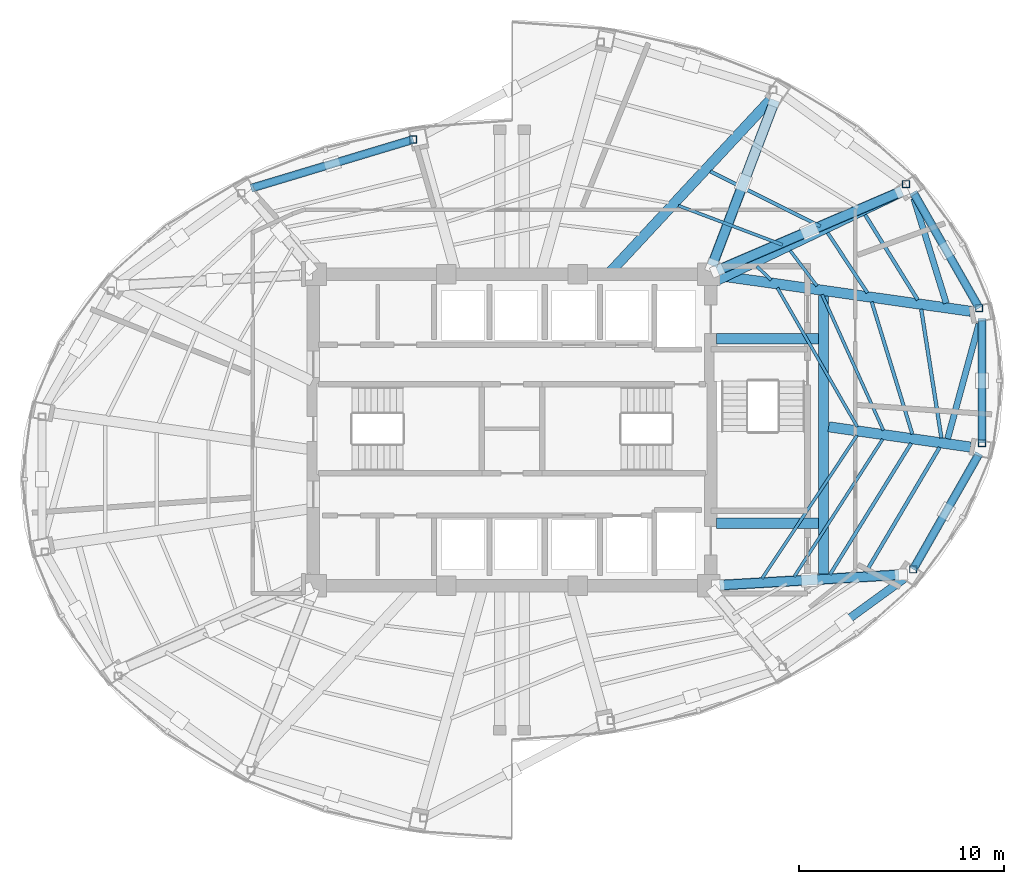
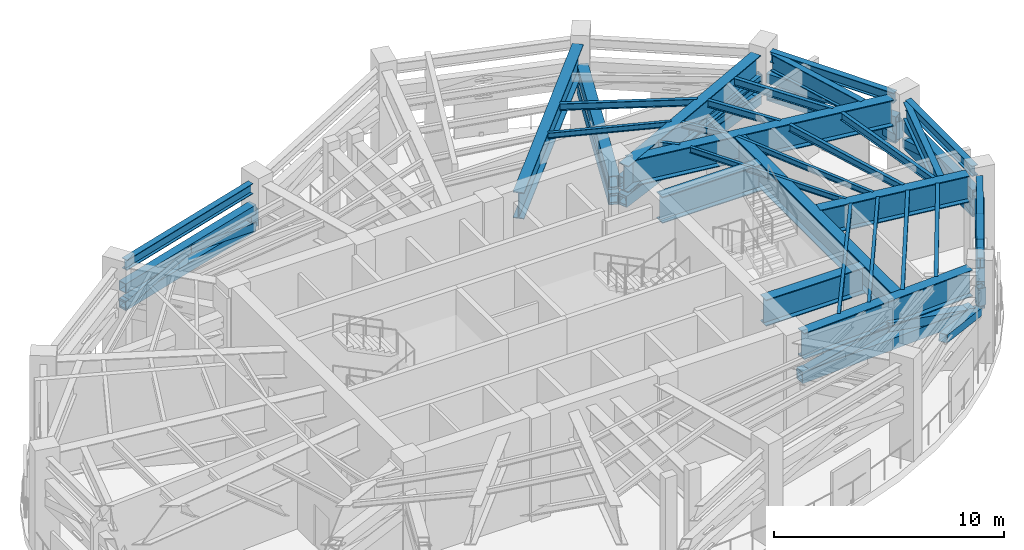
# One storey, part 4 of 12: 32 members, 28 beams.
"""IFC4 building model written with IfcOpenShell, lengths in metres."""

from ifc_helpers import new_model, si_unit, direction, frame, origin, origin_2d, place, context, subcontext, project, spatial, hollow_rectangle, i_section, extrude, material, material_profile, profile_set, type_object, element, save


model = new_model("IFC4")

# Units and contexts
model_context = context("Model", 3, precision=1e-05, world=origin(), true_north=direction((0.0, 1.0)))
body_context = subcontext(model_context, "Body", "Model", "MODEL_VIEW")
ifc_project = project(units=[si_unit("LENGTHUNIT", "METRE"), si_unit("AREAUNIT", "SQUARE_METRE"), si_unit("VOLUMEUNIT", "CUBIC_METRE"), si_unit("PLANEANGLEUNIT", "RADIAN"), si_unit("MASSUNIT", "GRAM", prefix="KILO")], contexts=[model_context])

# Site, building, storey
site_placement = place(None, origin())
site = spatial("IfcSite", under=ifc_project, at=site_placement, CompositionType="ELEMENT")
building_placement = place(site_placement, origin())
building = spatial("IfcBuilding", under=site, at=building_placement, Name="Lazwardi Medical Tower", CompositionType="ELEMENT")
storey_placement = place(building_placement, frame((0.0, 0.0, 189.360107421875)))
storey = spatial("IfcBuildingStorey", under=building, at=storey_placement, Name="L49", CompositionType="ELEMENT", Elevation=189.360107421875)

# Beams
ifc_material_1 = material(Name="Steel S460", Category="steel")
ifc_material_profile_1 = material_profile(ifc_material_1, i_section(OverallWidth=0.300048828125, OverallDepth=0.89990234375, WebThickness=0.0185546875, FlangeThickness=0.034912109375, at=origin_2d()), Name="HEB 900")
ifc_profile_set_1 = profile_set([ifc_material_profile_1], Name="Steel S460")
beam_type_1 = type_object("IfcBeamType", Name="BM-HB-01", PredefinedType="BEAM", material=ifc_profile_set_1)
beam_1_placement = place(storey_placement, frame((57.24951171875, 27.573486328125, 4.57177734375), z_axis=(0.263455584705, 0.96467152694, 0.0), x_axis=(-0.96467152694, 0.263455584705, 0.0)))
element("IfcBeam", 1, at=beam_1_placement, inside=storey, type_object=beam_type_1, Name="Transfer girder tie HB-01 M04 L49", PredefinedType="BEAM", context=body_context, shape_type="SweptSolid", body=[
    extrude(i_section(OverallWidth=0.300048828125, OverallDepth=0.89990234375, WebThickness=0.0185546875, FlangeThickness=0.034912109375, at=origin_2d()), origin(), (0.0, 0.0, 1.0), 5.802978515625),
])
beam_2_placement = place(storey_placement, frame((57.181396484375, 34.1826171875, 4.57177734375), z_axis=(-0.295281287181, 0.95541036285, 0.0), x_axis=(-0.95541036285, -0.295281287181, 0.0)))
element("IfcBeam", 2, at=beam_2_placement, inside=storey, type_object=beam_type_1, Name="Transfer girder tie HB-01 M05 L49", PredefinedType="BEAM", context=body_context, shape_type="SweptSolid", body=[
    extrude(i_section(OverallWidth=0.300048828125, OverallDepth=0.89990234375, WebThickness=0.0185546875, FlangeThickness=0.034912109375, at=origin_2d()), origin(), (0.0, 0.0, 1.0), 5.351806640625),
])
ifc_material_2 = material(Name="Steel S355", Category="steel")
ifc_material_profile_2 = material_profile(ifc_material_2, i_section(OverallWidth=0.300048828125, OverallDepth=0.550048828125, WebThickness=0.014892578125, FlangeThickness=0.029052734375, at=origin_2d()), Name="HEB 550")
ifc_profile_set_2 = profile_set([ifc_material_profile_2], Name="Steel S355")
beam_type_2 = type_object("IfcBeamType", Name="BM-RB-Z3", PredefinedType="BEAM", material=ifc_profile_set_2)
beam_3_placement = place(storey_placement, frame((55.6337890625, 21.316650390625, 4.746826171875), z_axis=(0.495477752551, 0.868620628771, 0.0), x_axis=(-0.868620628771, 0.495477752551, 0.0)))
element("IfcBeam", 3, at=beam_3_placement, inside=storey, type_object=beam_type_2, Name="Ring beam RB-04 B03 L49", PredefinedType="BEAM", context=body_context, shape_type="SweptSolid", body=[
    extrude(i_section(OverallWidth=0.300048828125, OverallDepth=0.550048828125, WebThickness=0.014892578125, FlangeThickness=0.029052734375, at=origin_2d()), origin(), (0.0, 0.0, 1.0), 6.244384765625),
])
beam_4_placement = place(storey_placement, frame((58.92578125, 27.48828125, 4.746826171875), z_axis=(0.0, 1.0, 0.0), x_axis=(-1.0, 0.0, 0.0)))
element("IfcBeam", 4, at=beam_4_placement, inside=storey, type_object=beam_type_2, Name="Ring beam RB-04 B04 L49", PredefinedType="BEAM", context=body_context, shape_type="SweptSolid", body=[
    extrude(i_section(OverallWidth=0.300048828125, OverallDepth=0.550048828125, WebThickness=0.014892578125, FlangeThickness=0.029052734375, at=origin_2d()), origin(), (0.0, 0.0, 1.0), 5.823486328125),
])
beam_5_placement = place(storey_placement, frame((58.727783203125, 34.05908203125, 4.746826171875), z_axis=(-0.495460926326, 0.868630226554, 0.0), x_axis=(-0.868630226554, -0.495460926326, 0.0)))
element("IfcBeam", 5, at=beam_5_placement, inside=storey, type_object=beam_type_2, Name="Ring beam RB-04 B05 L49", PredefinedType="BEAM", context=body_context, shape_type="SweptSolid", body=[
    extrude(i_section(OverallWidth=0.300048828125, OverallDepth=0.550048828125, WebThickness=0.014892578125, FlangeThickness=0.029052734375, at=origin_2d()), origin(), (0.0, 0.0, 1.0), 6.24462890625),
])
beam_6_placement = place(storey_placement, frame((31.056884765625, 42.133544921875, 4.746826171875), z_axis=(-0.957616873483, -0.288045002771, 0.0), x_axis=(0.288045002771, -0.957616873483, 0.0)))
element("IfcBeam", 6, at=beam_6_placement, inside=storey, type_object=beam_type_2, Name="Ring beam RB-04 B09 L49", PredefinedType="BEAM", context=body_context, shape_type="SweptSolid", body=[
    extrude(i_section(OverallWidth=0.300048828125, OverallDepth=0.550048828125, WebThickness=0.014892578125, FlangeThickness=0.029052734375, at=origin_2d()), origin(), (0.0, 0.0, 1.0), 7.99951171875),
])
ifc_material_profile_3 = material_profile(ifc_material_2, i_section(OverallWidth=0.179931640625, OverallDepth=0.39990234375, WebThickness=0.008544921875, FlangeThickness=0.013427734375, at=origin_2d()), Name="IPE 400")
ifc_profile_set_3 = profile_set([ifc_material_profile_3], Name="Steel S355")
beam_type_3 = type_object("IfcBeamType", Name="BM-SJ-01", PredefinedType="JOIST", material=ifc_profile_set_3)
beam_7_placement = place(storey_placement, frame((53.252685546875, 21.046630859375, 4.82177734375), z_axis=(0.508694529706, 0.860947080515, 0.0), x_axis=(-0.860947080515, 0.508694529706, 0.0)))
element("IfcBeam", 7, at=beam_7_placement, inside=storey, type_object=beam_type_3, Name="Secondary joist SJ-01 R1 B03 L49", PredefinedType="JOIST", context=body_context, shape_type="SweptSolid", body=[
    extrude(i_section(OverallWidth=0.179931640625, OverallDepth=0.39990234375, WebThickness=0.008544921875, FlangeThickness=0.013427734375, at=origin_2d()), origin(), (0.0, 0.0, 1.0), 7.094482421875),
])
beam_8_placement = place(storey_placement, frame((56.9482421875, 27.607421875, 4.82177734375), z_axis=(-0.155080077387, 0.987901902821, 0.0), x_axis=(-0.987901902821, -0.155080077387, 0.0)))
element("IfcBeam", 8, at=beam_8_placement, inside=storey, type_object=beam_type_3, Name="Secondary joist SJ-01 R1 B04 L49", PredefinedType="JOIST", context=body_context, shape_type="SweptSolid", body=[
    extrude(i_section(OverallWidth=0.179931640625, OverallDepth=0.39990234375, WebThickness=0.008544921875, FlangeThickness=0.013427734375, at=origin_2d()), origin(), (0.0, 0.0, 1.0), 6.36474609375),
])
beam_9_placement = place(storey_placement, frame((55.794189453125, 34.345458984375, 4.82177734375), z_axis=(-0.526287508923, 0.850306684645, 0.0), x_axis=(-0.850306684645, -0.526287508923, 0.0)))
element("IfcBeam", 9, at=beam_9_placement, inside=storey, type_object=beam_type_3, Name="Secondary joist SJ-01 R1 B05 L49", PredefinedType="JOIST", context=body_context, shape_type="SweptSolid", body=[
    extrude(i_section(OverallWidth=0.179931640625, OverallDepth=0.39990234375, WebThickness=0.008544921875, FlangeThickness=0.013427734375, at=origin_2d()), origin(), (0.0, 0.0, 1.0), 4.884765625),
])
ifc_material_profile_4 = material_profile(ifc_material_2, i_section(OverallWidth=0.169921875, OverallDepth=0.360107421875, WebThickness=0.008056640625, FlangeThickness=0.0126953125, at=origin_2d()), Name="IPE 360")
ifc_profile_set_4 = profile_set([ifc_material_profile_4], Name="Steel S355")
beam_type_4 = type_object("IfcBeamType", Name="BM-SJ-02", PredefinedType="JOIST", material=ifc_profile_set_4)
beam_10_placement = place(storey_placement, frame((51.50830078125, 20.94287109375, 4.841796875), z_axis=(0.52582380167, 0.85059351608, 0.0), x_axis=(-0.85059351608, 0.52582380167, 0.0)))
element("IfcBeam", 10, at=beam_10_placement, inside=storey, type_object=beam_type_4, Name="Secondary joist SJ-02 R2 B03 L49", PredefinedType="JOIST", context=body_context, shape_type="SweptSolid", body=[
    extrude(i_section(OverallWidth=0.169921875, OverallDepth=0.360107421875, WebThickness=0.008056640625, FlangeThickness=0.0126953125, at=origin_2d()), origin(), (0.0, 0.0, 1.0), 7.538330078125),
])
beam_11_placement = place(storey_placement, frame((55.52880859375, 27.797607421875, 4.841796875), z_axis=(-0.293656287568, 0.955911075766, 0.0), x_axis=(-0.955911075766, -0.293656287568, 0.0)))
element("IfcBeam", 11, at=beam_11_placement, inside=storey, type_object=beam_type_4, Name="Secondary joist SJ-02 R2 B04 L49", PredefinedType="JOIST", context=body_context, shape_type="SweptSolid", body=[
    extrude(i_section(OverallWidth=0.169921875, OverallDepth=0.360107421875, WebThickness=0.008056640625, FlangeThickness=0.0126953125, at=origin_2d()), origin(), (0.0, 0.0, 1.0), 6.75),
])
beam_12_placement = place(storey_placement, frame((53.33935546875, 34.688232421875, 4.841796875), z_axis=(-0.552665994443, 0.833402842919, 0.0), x_axis=(-0.833402842919, -0.552665994443, 0.0)))
element("IfcBeam", 12, at=beam_12_placement, inside=storey, type_object=beam_type_4, Name="Secondary joist SJ-02 R2 B05 L49", PredefinedType="JOIST", context=body_context, shape_type="SweptSolid", body=[
    extrude(i_section(OverallWidth=0.169921875, OverallDepth=0.360107421875, WebThickness=0.008056640625, FlangeThickness=0.0126953125, at=origin_2d()), origin(), (0.0, 0.0, 1.0), 3.520263671875),
])
beam_13_placement = place(storey_placement, frame((51.039306640625, 37.935546875, 4.841796875), z_axis=(-0.894630803027, 0.446806139478, 0.0), x_axis=(-0.446806139478, -0.894630803027, 0.0)))
element("IfcBeam", 13, at=beam_13_placement, inside=storey, type_object=beam_type_4, Name="Secondary joist SJ-02 R2 B06 L49", PredefinedType="JOIST", context=body_context, shape_type="SweptSolid", body=[
    extrude(i_section(OverallWidth=0.169921875, OverallDepth=0.360107421875, WebThickness=0.008056640625, FlangeThickness=0.0126953125, at=origin_2d()), origin(), (0.0, 0.0, 1.0), 5.992431640625),
])
ifc_material_profile_5 = material_profile(ifc_material_2, i_section(OverallWidth=0.14990234375, OverallDepth=0.300048828125, WebThickness=0.007080078125, FlangeThickness=0.0107421875, at=origin_2d()), Name="IPE 300")
ifc_profile_set_5 = profile_set([ifc_material_profile_5], Name="Steel S355")
beam_type_5 = type_object("IfcBeamType", Name="BM-SJ-03", PredefinedType="JOIST", material=ifc_profile_set_5)
beam_14_placement = place(storey_placement, frame((49.763671875, 20.83935546875, 4.871826171875), z_axis=(0.540922925652, 0.84107216605, 0.0), x_axis=(-0.84107216605, 0.540922925652, 0.0)))
element("IfcBeam", 14, at=beam_14_placement, inside=storey, type_object=beam_type_5, Name="Secondary joist SJ-03 R3 B03 L49", PredefinedType="JOIST", context=body_context, shape_type="SweptSolid", body=[
    extrude(i_section(OverallWidth=0.14990234375, OverallDepth=0.300048828125, WebThickness=0.007080078125, FlangeThickness=0.0107421875, at=origin_2d()), origin(), (0.0, 0.0, 1.0), 7.985107421875),
])
beam_15_placement = place(storey_placement, frame((54.114990234375, 27.98486328125, 4.871826171875), z_axis=(-0.411226560514, 0.911533167761, 0.0), x_axis=(-0.911533167761, -0.411226560514, 0.0)))
element("IfcBeam", 15, at=beam_15_placement, inside=storey, type_object=beam_type_5, Name="Secondary joist SJ-03 R3 B04 L49", PredefinedType="JOIST", context=body_context, shape_type="SweptSolid", body=[
    extrude(i_section(OverallWidth=0.14990234375, OverallDepth=0.300048828125, WebThickness=0.007080078125, FlangeThickness=0.0107421875, at=origin_2d()), origin(), (0.0, 0.0, 1.0), 7.265625),
])
beam_16_placement = place(storey_placement, frame((50.87841796875, 35.026123046875, 4.871826171875), z_axis=(-0.604539577492, 0.796575105841, 0.0), x_axis=(-0.796575105841, -0.604539577492, 0.0)))
element("IfcBeam", 16, at=beam_16_placement, inside=storey, type_object=beam_type_5, Name="Secondary joist SJ-03 R3 B05 L49", PredefinedType="JOIST", context=body_context, shape_type="SweptSolid", body=[
    extrude(i_section(OverallWidth=0.14990234375, OverallDepth=0.300048828125, WebThickness=0.007080078125, FlangeThickness=0.0107421875, at=origin_2d()), origin(), (0.0, 0.0, 1.0), 2.163818359375),
])
beam_17_placement = place(storey_placement, frame((49.193115234375, 37.031494140625, 4.871826171875), z_axis=(-0.93573988947, 0.352690883429, 0.0), x_axis=(-0.352690883429, -0.93573988947, 0.0)))
element("IfcBeam", 17, at=beam_17_placement, inside=storey, type_object=beam_type_5, Name="Secondary joist SJ-03 R3 B06 L49", PredefinedType="JOIST", context=body_context, shape_type="SweptSolid", body=[
    extrude(i_section(OverallWidth=0.14990234375, OverallDepth=0.300048828125, WebThickness=0.007080078125, FlangeThickness=0.0107421875, at=origin_2d()), origin(), (0.0, 0.0, 1.0), 5.42626953125),
])
beam_18_placement = place(storey_placement, frame((48.19287109375, 20.746337890625, 4.871826171875), z_axis=(0.553121033606, 0.833100907564, 0.0), x_axis=(-0.833100907564, 0.553121033606, 0.0)))
element("IfcBeam", 18, at=beam_18_placement, inside=storey, type_object=beam_type_5, Name="Secondary joist SJ-03 R4 B03 L49", PredefinedType="JOIST", context=body_context, shape_type="SweptSolid", body=[
    extrude(i_section(OverallWidth=0.14990234375, OverallDepth=0.300048828125, WebThickness=0.007080078125, FlangeThickness=0.0107421875, at=origin_2d()), origin(), (0.0, 0.0, 1.0), 8.389404296875),
])
beam_19_placement = place(storey_placement, frame((52.8466796875, 28.152099609375, 4.871826171875), z_axis=(-0.498835857953, 0.866696479063, 0.0), x_axis=(-0.866696479063, -0.498835857953, 0.0)))
element("IfcBeam", 19, at=beam_19_placement, inside=storey, type_object=beam_type_5, Name="Secondary joist SJ-03 R4 B04 L49", PredefinedType="JOIST", context=body_context, shape_type="SweptSolid", body=[
    extrude(i_section(OverallWidth=0.14990234375, OverallDepth=0.300048828125, WebThickness=0.007080078125, FlangeThickness=0.0107421875, at=origin_2d()), origin(), (0.0, 0.0, 1.0), 7.821533203125),
])
beam_20_placement = place(storey_placement, frame((48.64599609375, 35.312744140625, 4.871826171875), z_axis=(-0.722198118499, 0.691686256649, 0.0), x_axis=(-0.691686256649, -0.722198118499, 0.0)))
element("IfcBeam", 20, at=beam_20_placement, inside=storey, type_object=beam_type_5, Name="Secondary joist SJ-03 R4 B05 L49", PredefinedType="JOIST", context=body_context, shape_type="SweptSolid", body=[
    extrude(i_section(OverallWidth=0.14990234375, OverallDepth=0.300048828125, WebThickness=0.007080078125, FlangeThickness=0.0107421875, at=origin_2d()), origin(), (0.0, 0.0, 1.0), 0.96826171875),
])
ifc_material_profile_6 = material_profile(ifc_material_1, i_section(OverallWidth=0.5, OverallDepth=1.39990234375, WebThickness=0.028076171875, FlangeThickness=0.044921875, at=origin_2d()), Name="PG 1400x500")
ifc_profile_set_6 = profile_set([ifc_material_profile_6], Name="Steel S460")
beam_type_6 = type_object("IfcBeamType", Name="BM-TG-01", PredefinedType="BEAM", material=ifc_profile_set_6)
beam_21_placement = place(storey_placement, frame((54.87646484375, 20.936767578125, 4.32177734375), z_axis=(-0.998330154646, -0.057765927014, 0.0), x_axis=(0.057765927014, -0.998330154646, 0.0)))
element("IfcBeam", 21, at=beam_21_placement, inside=storey, type_object=beam_type_6, Name="Transfer girder TG-01 M03 L49", PredefinedType="BEAM", context=body_context, shape_type="SweptSolid", body=[
    extrude(i_section(OverallWidth=0.5, OverallDepth=1.39990234375, WebThickness=0.028076171875, FlangeThickness=0.044921875, at=origin_2d()), origin(), (0.0, 0.0, 1.0), 8.757080078125),
])
beam_22_placement = place(storey_placement, frame((58.371337890625, 33.790283203125, 4.32177734375), z_axis=(-0.99010958763, 0.140296131389, 0.0), x_axis=(-0.140296131389, -0.99010958763, 0.0)))
element("IfcBeam", 22, at=beam_22_placement, inside=storey, type_object=beam_type_6, Name="Transfer girder TG-01 M05 L49", PredefinedType="BEAM", context=body_context, shape_type="SweptSolid", body=[
    extrude(i_section(OverallWidth=0.5, OverallDepth=1.39990234375, WebThickness=0.028076171875, FlangeThickness=0.044921875, at=origin_2d()), origin(), (0.0, 0.0, 1.0), 12.364013671875),
])
beam_23_placement = place(storey_placement, frame((51.199951171875, 20.968994140625, 4.32177734375), z_axis=(0.0, 1.0, 0.0), x_axis=(-1.0, 0.0, 0.0)))
element("IfcBeam", 23, at=beam_23_placement, inside=storey, type_object=beam_type_6, Name="Transfer girder TG-01 ST3E L49", PredefinedType="BEAM", context=body_context, shape_type="SweptSolid", body=[
    extrude(i_section(OverallWidth=0.5, OverallDepth=1.39990234375, WebThickness=0.028076171875, FlangeThickness=0.044921875, at=origin_2d()), origin(), (0.0, 0.0, 1.0), 13.592529296875),
])
for number, where, z_axis, x_axis, name in (
    (24, (45.969970703125, 23.449951171875, 4.32177734375), (1.0, 0.0, 0.0), (0.0, 1.0, 0.0), "Transfer girder TG-01 ST3S L49"),
    (25, (45.969970703125, 32.449951171875, 4.32177734375), (1.0, 0.0, 0.0), (0.0, 1.0, 0.0), "Transfer girder TG-01 ST3N L49"),
):
    element("IfcBeam", number, at=place(storey_placement, frame(where, z_axis=z_axis, x_axis=x_axis)), inside=storey, type_object=beam_type_6, Name=name, PredefinedType="BEAM", context=body_context, shape_type="SweptSolid", body=[
        extrude(i_section(OverallWidth=0.5, OverallDepth=1.39990234375, WebThickness=0.028076171875, FlangeThickness=0.044921875, at=origin_2d()), origin(), (0.0, 0.0, 1.0), 4.985107421875),
    ])
beam_24_placement = place(storey_placement, frame((58.37158203125, 27.16748046875, 4.32177734375), z_axis=(-0.989939721353, 0.141489745518, 0.0), x_axis=(-0.141489745518, -0.989939721353, 0.0)))
element("IfcBeam", 26, at=beam_24_placement, inside=storey, type_object=beam_type_6, Name="Transfer girder TG-01 M04 L49", PredefinedType="BEAM", context=body_context, shape_type="SweptSolid", body=[
    extrude(i_section(OverallWidth=0.5, OverallDepth=1.39990234375, WebThickness=0.028076171875, FlangeThickness=0.044921875, at=origin_2d()), origin(), (0.0, 0.0, 1.0), 6.996826171875),
])
beam_25_placement = place(storey_placement, frame((54.9306640625, 39.58837890625, 4.32177734375), z_axis=(-0.901559718367, -0.432654682418, 0.0), x_axis=(0.432654682418, -0.901559718367, 0.0)))
element("IfcBeam", 27, at=beam_25_placement, inside=storey, type_object=beam_type_6, Name="Transfer girder TG-01 M06 L49", PredefinedType="BEAM", context=body_context, shape_type="SweptSolid", body=[
    extrude(i_section(OverallWidth=0.5, OverallDepth=1.39990234375, WebThickness=0.028076171875, FlangeThickness=0.044921875, at=origin_2d()), origin(), (0.0, 0.0, 1.0), 10.18310546875),
])
beam_26_placement = place(storey_placement, frame((48.60498046875, 44.104248046875, 4.32177734375), z_axis=(-0.681115013744, -0.732176439155, 0.0), x_axis=(0.732176439155, -0.681115013744, 0.0)))
element("IfcBeam", 28, at=beam_26_placement, inside=storey, type_object=beam_type_6, Name="Transfer girder TG-01 M07 L49", PredefinedType="BEAM", context=body_context, shape_type="SweptSolid", body=[
    extrude(i_section(OverallWidth=0.5, OverallDepth=1.39990234375, WebThickness=0.028076171875, FlangeThickness=0.044921875, at=origin_2d()), origin(), (0.0, 0.0, 1.0), 11.546875),
])

# Members
ifc_material_profile_7 = material_profile(ifc_material_1, hollow_rectangle(XDim=0.39990234375, YDim=0.5, WallThickness=0.02490234375, at=origin_2d()), Name="RHS 500x400x25")
ifc_profile_set_7 = profile_set([ifc_material_profile_7], Name="Steel S460")
member_type_1 = type_object("IfcMemberType", Name="MEM-BC-01", PredefinedType="CHORD", material=ifc_profile_set_7)
for number, where, z_axis, x_axis, name in (
    (29, (55.5693359375, 21.20361328125, 2.679931640625), (0.495443541508, 0.868640142509, 0.0), (-0.868640142509, 0.495443541508, 0.0), "Belt truss bottom chord BC-01 B03 L49"),
    (30, (55.5693359375, 21.20361328125, 3.599853515625), (0.495443541508, 0.868640142509, 0.0), (-0.868640142509, 0.495443541508, 0.0), "Belt truss top chord BC-01 B03 L49"),
):
    element("IfcMember", number, at=place(storey_placement, frame(where, z_axis=z_axis, x_axis=x_axis)), inside=storey, type_object=member_type_1, Name=name, PredefinedType="CHORD", context=body_context, shape_type="SweptSolid", body=[
        extrude(hollow_rectangle(XDim=0.39990234375, YDim=0.5, WallThickness=0.02490234375, at=origin_2d()), origin(), (0.0, 0.0, 1.0), 6.504638671875),
    ])
for number, where, z_axis, x_axis, name in (
    (31, (58.92578125, 27.3583984375, 2.679931640625), (0.0, 1.0, 0.0), (-1.0, 0.0, 0.0), "Belt truss bottom chord BC-01 B04 L49"),
    (32, (58.92578125, 27.3583984375, 3.599853515625), (0.0, 1.0, 0.0), (-1.0, 0.0, 0.0), "Belt truss top chord BC-01 B04 L49"),
):
    element("IfcMember", number, at=place(storey_placement, frame(where, z_axis=z_axis, x_axis=x_axis)), inside=storey, type_object=member_type_1, Name=name, PredefinedType="CHORD", context=body_context, shape_type="SweptSolid", body=[
        extrude(hollow_rectangle(XDim=0.39990234375, YDim=0.5, WallThickness=0.02490234375, at=origin_2d()), origin(), (0.0, 0.0, 1.0), 6.083251953125),
    ])
for number, where, z_axis, x_axis, name in (
    (33, (58.7919921875, 33.9462890625, 2.679931640625), (-0.49545969499, 0.868630928899, 0.0), (-0.868630928899, -0.49545969499, 0.0), "Belt truss bottom chord BC-01 B05 L49"),
    (34, (58.7919921875, 33.9462890625, 3.599853515625), (-0.49545969499, 0.868630928899, 0.0), (-0.868630928899, -0.49545969499, 0.0), "Belt truss top chord BC-01 B05 L49"),
):
    element("IfcMember", number, at=place(storey_placement, frame(where, z_axis=z_axis, x_axis=x_axis)), inside=storey, type_object=member_type_1, Name=name, PredefinedType="CHORD", context=body_context, shape_type="SweptSolid", body=[
        extrude(hollow_rectangle(XDim=0.39990234375, YDim=0.5, WallThickness=0.02490234375, at=origin_2d()), origin(), (0.0, 0.0, 1.0), 6.50439453125),
    ])
for number, where, z_axis, x_axis, name in (
    (35, (31.18115234375, 42.1708984375, 2.679931640625), (-0.957618568335, -0.288039368108, 0.0), (0.288039368108, -0.957618568335, 0.0), "Belt truss bottom chord BC-01 B09 L49"),
    (36, (31.18115234375, 42.1708984375, 3.599853515625), (-0.957618568335, -0.288039368108, 0.0), (0.288039368108, -0.957618568335, 0.0), "Belt truss top chord BC-01 B09 L49"),
):
    element("IfcMember", number, at=place(storey_placement, frame(where, z_axis=z_axis, x_axis=x_axis)), inside=storey, type_object=member_type_1, Name=name, PredefinedType="CHORD", context=body_context, shape_type="SweptSolid", body=[
        extrude(hollow_rectangle(XDim=0.39990234375, YDim=0.5, WallThickness=0.02490234375, at=origin_2d()), origin(), (0.0, 0.0, 1.0), 8.259033203125),
    ])
ifc_material_profile_8 = material_profile(ifc_material_1, hollow_rectangle(XDim=0.39990234375, YDim=0.39990234375, WallThickness=0.02001953125, at=origin_2d()), Name="RHS 400x400x20")
ifc_profile_set_8 = profile_set([ifc_material_profile_8], Name="Steel S460")
member_type_2 = type_object("IfcMemberType", Name="MEM-BD-01", PredefinedType="BRACE", material=ifc_profile_set_8)
member_1_placement = place(storey_placement, frame((55.217041015625, 20.810546875, 2.679931640625), z_axis=(-0.785395561242, -0.570419680688, 0.240364723421), x_axis=(0.587647963925, -0.809116722417, 0.0)))
element("IfcMember", 37, at=member_1_placement, inside=storey, type_object=member_type_2, Name="Belt truss diagonal BD-01 B02B L49", PredefinedType="BRACE", context=body_context, shape_type="SweptSolid", body=[
    extrude(hollow_rectangle(XDim=0.39990234375, YDim=0.39990234375, WallThickness=0.02001953125, at=origin_2d()), origin(), (0.0, 0.0, 1.0), 3.8271484375),
])
member_2_placement = place(storey_placement, frame((55.5693359375, 21.20361328125, 2.679931640625), z_axis=(0.476780878939, 0.835829166957, 0.272157302203), x_axis=(-0.868617050254, 0.495484025987, 0.0)))
element("IfcMember", 38, at=member_2_placement, inside=storey, type_object=member_type_2, Name="Belt truss diagonal BD-01 B03A L49", PredefinedType="BRACE", context=body_context, shape_type="SweptSolid", body=[
    extrude(hollow_rectangle(XDim=0.39990234375, YDim=0.39990234375, WallThickness=0.02001953125, at=origin_2d()), origin(), (0.0, 0.0, 1.0), 3.380126953125),
])
member_3_placement = place(storey_placement, frame((58.7919921875, 26.853759765625, 2.679931640625), z_axis=(-0.476698030455, -0.835864965963, 0.27219248049), x_axis=(0.868663236101, -0.495403050301, 0.0)))
element("IfcMember", 39, at=member_3_placement, inside=storey, type_object=member_type_2, Name="Belt truss diagonal BD-01 B03B L49", PredefinedType="BRACE", context=body_context, shape_type="SweptSolid", body=[
    extrude(hollow_rectangle(XDim=0.39990234375, YDim=0.39990234375, WallThickness=0.02001953125, at=origin_2d()), origin(), (0.0, 0.0, 1.0), 3.379638671875),
])
member_4_placement = place(storey_placement, frame((58.92578125, 27.3583984375, 2.679931640625), z_axis=(0.0, 0.957176773564, 0.289504100401), x_axis=(-1.0, 0.0, 0.0)))
element("IfcMember", 40, at=member_4_placement, inside=storey, type_object=member_type_2, Name="Belt truss diagonal BD-01 B04A L49", PredefinedType="BRACE", context=body_context, shape_type="SweptSolid", body=[
    extrude(hollow_rectangle(XDim=0.39990234375, YDim=0.39990234375, WallThickness=0.02001953125, at=origin_2d()), origin(), (0.0, 0.0, 1.0), 3.177490234375),
])
member_5_placement = place(storey_placement, frame((58.92578125, 33.441650390625, 2.679931640625), z_axis=(0.0, -0.957183212371, 0.289482811158), x_axis=(1.0, 0.0, 0.0)))
element("IfcMember", 41, at=member_5_placement, inside=storey, type_object=member_type_2, Name="Belt truss diagonal BD-01 B04B L49", PredefinedType="BRACE", context=body_context, shape_type="SweptSolid", body=[
    extrude(hollow_rectangle(XDim=0.39990234375, YDim=0.39990234375, WallThickness=0.02001953125, at=origin_2d()), origin(), (0.0, 0.0, 1.0), 3.177734375),
])
member_6_placement = place(storey_placement, frame((58.7919921875, 33.9462890625, 2.679931640625), z_axis=(-0.476698030455, 0.835864965963, 0.27219248049), x_axis=(-0.868663236101, -0.495403050301, 0.0)))
element("IfcMember", 42, at=member_6_placement, inside=storey, type_object=member_type_2, Name="Belt truss diagonal BD-01 B05A L49", PredefinedType="BRACE", context=body_context, shape_type="SweptSolid", body=[
    extrude(hollow_rectangle(XDim=0.39990234375, YDim=0.39990234375, WallThickness=0.02001953125, at=origin_2d()), origin(), (0.0, 0.0, 1.0), 3.379638671875),
])
member_7_placement = place(storey_placement, frame((55.5693359375, 39.59619140625, 2.679931640625), z_axis=(0.476809663924, -0.835807396041, 0.272173733323), x_axis=(0.868598620407, 0.49551633336, 0.0)))
element("IfcMember", 43, at=member_7_placement, inside=storey, type_object=member_type_2, Name="Belt truss diagonal BD-01 B05B L49", PredefinedType="BRACE", context=body_context, shape_type="SweptSolid", body=[
    extrude(hollow_rectangle(XDim=0.39990234375, YDim=0.39990234375, WallThickness=0.02001953125, at=origin_2d()), origin(), (0.0, 0.0, 1.0), 3.3798828125),
])
for number, where, z_axis, x_axis, name in (
    (44, (31.18115234375, 42.1708984375, 2.679931640625), (-0.934710072733, -0.281140108307, 0.217433482779), (0.288031214548, -0.957621020783, 0.0), "Belt truss diagonal BD-01 B09A L49"),
    (45, (23.272216796875, 39.7919921875, 2.679931640625), (0.934702782981, 0.281155273117, 0.217445211229), (-0.288047522108, 0.957616115679, 0.0), "Belt truss diagonal BD-01 B09B L49"),
):
    element("IfcMember", number, at=place(storey_placement, frame(where, z_axis=z_axis, x_axis=x_axis)), inside=storey, type_object=member_type_2, Name=name, PredefinedType="BRACE", context=body_context, shape_type="SweptSolid", body=[
        extrude(hollow_rectangle(XDim=0.39990234375, YDim=0.39990234375, WallThickness=0.02001953125, at=origin_2d()), origin(), (0.0, 0.0, 1.0), 4.230712890625),
    ])
ifc_material_profile_9 = material_profile(ifc_material_2, hollow_rectangle(XDim=0.35009765625, YDim=0.35009765625, WallThickness=0.01611328125, at=origin_2d()), Name="RHS 350x350x16")
ifc_profile_set_9 = profile_set([ifc_material_profile_9], Name="Steel S355")
member_type_3 = type_object("IfcMemberType", Name="MEM-BV-01", PredefinedType="POST", material=ifc_profile_set_9)
for number, where, z_axis, x_axis, name in (
    (46, (55.5693359375, 21.20361328125, 2.679931640625), (0.0, 0.0, 1.0), (1.0, 0.0, 0.0), "Belt truss post BV-01 B03 L49"),
    (47, (58.92578125, 27.3583984375, 2.679931640625), (0.0, 0.0, 1.0), (1.0, 0.0, 0.0), "Belt truss post BV-01 B04 L49"),
    (48, (58.7919921875, 33.9462890625, 2.679931640625), (0.0, 0.0, 1.0), (1.0, 0.0, 0.0), "Belt truss post BV-01 B05 L49"),
    (49, (55.217041015625, 39.989501953125, 2.679931640625), (0.0, 0.0, 1.0), (1.0, 0.0, 0.0), "Belt truss post BV-01 B06 L49"),
    (50, (31.18115234375, 42.1708984375, 2.679931640625), (0.0, 0.0, 1.0), (1.0, 0.0, 0.0), "Belt truss post BV-01 B09 L49"),
):
    element("IfcMember", number, at=place(storey_placement, frame(where, z_axis=z_axis, x_axis=x_axis)), inside=storey, type_object=member_type_3, Name=name, PredefinedType="POST", context=body_context, shape_type="SweptSolid", body=[
        extrude(hollow_rectangle(XDim=0.35009765625, YDim=0.35009765625, WallThickness=0.01611328125, at=origin_2d()), origin(), (0.0, 0.0, 1.0), 0.919921875),
    ])
ifc_material_profile_10 = material_profile(ifc_material_1, hollow_rectangle(XDim=0.5, YDim=0.60009765625, WallThickness=0.030029296875, at=origin_2d()), Name="RHS 600x500x30")
ifc_profile_set_10 = profile_set([ifc_material_profile_10], Name="Steel S460")
member_type_4 = type_object("IfcMemberType", Name="MEM-OC-01", PredefinedType="CHORD", material=ifc_profile_set_10)
member_8_placement = place(storey_placement, frame((46.04931640625, 20.426025390625, 2.679931640625), z_axis=(0.998330090442, 0.057767036611, 0.0), x_axis=(-0.057767036611, 0.998330090442, 0.0)))
element("IfcMember", 51, at=member_8_placement, inside=storey, type_object=member_type_4, Name="Outrigger truss bottom chord OC-01 OR4 L49", PredefinedType="CHORD", context=body_context, shape_type="SweptSolid", body=[
    extrude(hollow_rectangle(XDim=0.5, YDim=0.60009765625, WallThickness=0.030029296875, at=origin_2d()), origin(), (0.0, 0.0, 1.0), 8.947021484375),
])
for number, where, z_axis, x_axis, name in (
    (52, (46.013427734375, 35.77783203125, 2.679931640625), (0.918622449443, 0.395136426289, 0.0), (-0.395136426289, 0.918622449443, 0.0), "Outrigger truss bottom chord OC-01 OR5 L49"),
    (53, (46.013427734375, 35.77783203125, 3.599853515625), (0.918622449443, 0.395136426289, 0.0), (-0.395136426289, 0.918622449443, 0.0), "Outrigger truss top chord OC-01 OR5 L49"),
):
    element("IfcMember", number, at=place(storey_placement, frame(where, z_axis=z_axis, x_axis=x_axis)), inside=storey, type_object=member_type_4, Name=name, PredefinedType="CHORD", context=body_context, shape_type="SweptSolid", body=[
        extrude(hollow_rectangle(XDim=0.5, YDim=0.60009765625, WallThickness=0.030029296875, at=origin_2d()), origin(), (0.0, 0.0, 1.0), 9.8017578125),
    ])
for number, where, z_axis, x_axis, name in (
    (54, (45.759765625, 36.020751953125, 2.679931640625), (0.355147066073, 0.934810441458, 0.0), (-0.934810441458, 0.355147066073, 0.0), "Outrigger truss bottom chord OC-01 OR6 L49"),
    (55, (45.759765625, 36.020751953125, 3.599853515625), (0.355147066073, 0.934810441458, 0.0), (-0.934810441458, 0.355147066073, 0.0), "Outrigger truss top chord OC-01 OR6 L49"),
):
    element("IfcMember", number, at=place(storey_placement, frame(where, z_axis=z_axis, x_axis=x_axis)), inside=storey, type_object=member_type_4, Name=name, PredefinedType="CHORD", context=body_context, shape_type="SweptSolid", body=[
        extrude(hollow_rectangle(XDim=0.5, YDim=0.60009765625, WallThickness=0.030029296875, at=origin_2d()), origin(), (0.0, 0.0, 1.0), 8.630859375),
    ])
ifc_material_profile_11 = material_profile(ifc_material_1, hollow_rectangle(XDim=0.449951171875, YDim=0.449951171875, WallThickness=0.02197265625, at=origin_2d()), Name="RHS 450x450x22")
ifc_profile_set_11 = profile_set([ifc_material_profile_11], Name="Steel S460")
member_type_5 = type_object("IfcMemberType", Name="MEM-OD-01", PredefinedType="BRACE", material=ifc_profile_set_11)
for number, where, z_axis, x_axis, name in (
    (56, (46.04931640625, 20.426025390625, 2.679931640625), (0.976912867415, 0.056501055799, 0.206031260181), (-0.057739840389, 0.998331663743, 0.0), "Outrigger truss diagonal OD-01 OR4A L49"),
    (57, (54.9814453125, 20.94287109375, 2.679931640625), (-0.976909918336, -0.056554288718, 0.206030638219), (0.057794232705, -0.998328516404, 0.0), "Outrigger truss diagonal OD-01 OR4B L49"),
):
    element("IfcMember", number, at=place(storey_placement, frame(where, z_axis=z_axis, x_axis=x_axis)), inside=storey, type_object=member_type_5, Name=name, PredefinedType="BRACE", context=body_context, shape_type="SweptSolid", body=[
        extrude(hollow_rectangle(XDim=0.449951171875, YDim=0.449951171875, WallThickness=0.02197265625, at=origin_2d()), origin(), (0.0, 0.0, 1.0), 4.571533203125),
    ])
member_9_placement = place(storey_placement, frame((46.013427734375, 35.77783203125, 2.679931640625), z_axis=(0.902850429275, 0.388362776844, 0.184487007457), x_axis=(-0.395145467519, 0.918618560394, 0.0)))
element("IfcMember", 58, at=member_9_placement, inside=storey, type_object=member_type_5, Name="Outrigger truss diagonal OD-01 OR5A L49", PredefinedType="BRACE", context=body_context, shape_type="SweptSolid", body=[
    extrude(hollow_rectangle(XDim=0.449951171875, YDim=0.449951171875, WallThickness=0.02197265625, at=origin_2d()), origin(), (0.0, 0.0, 1.0), 4.986328125),
])
member_10_placement = place(storey_placement, frame((55.017578125, 39.65087890625, 2.679931640625), z_axis=(-0.902859479755, -0.388345609968, 0.184478852541), x_axis=(0.395127385434, -0.918626338224, 0.0)))
element("IfcMember", 59, at=member_10_placement, inside=storey, type_object=member_type_5, Name="Outrigger truss diagonal OD-01 OR5B L49", PredefinedType="BRACE", context=body_context, shape_type="SweptSolid", body=[
    extrude(hollow_rectangle(XDim=0.449951171875, YDim=0.449951171875, WallThickness=0.02197265625, at=origin_2d()), origin(), (0.0, 0.0, 1.0), 4.986572265625),
])
member_11_placement = place(storey_placement, frame((45.759765625, 36.020751953125, 2.679931640625), z_axis=(0.347327095847, 0.914272041529, 0.20849585744), x_axis=(-0.934816264932, 0.355131737274, 0.0)))
element("IfcMember", 60, at=member_11_placement, inside=storey, type_object=member_type_5, Name="Outrigger truss diagonal OD-01 OR6A L49", PredefinedType="BRACE", context=body_context, shape_type="SweptSolid", body=[
    extrude(hollow_rectangle(XDim=0.449951171875, YDim=0.449951171875, WallThickness=0.02197265625, at=origin_2d()), origin(), (0.0, 0.0, 1.0), 4.412109375),
])

save(model, "model.ifc")
